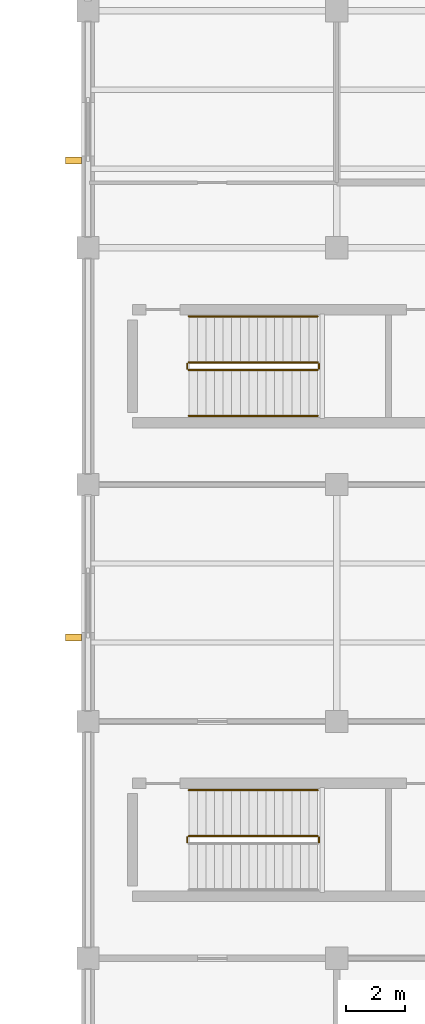
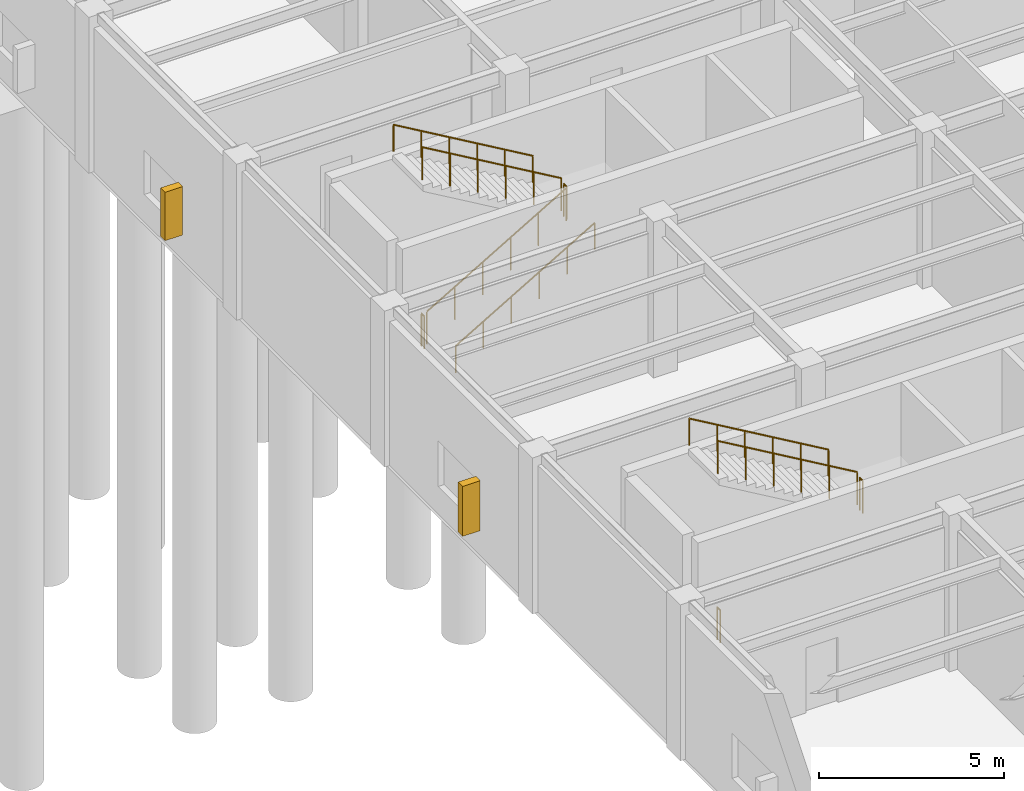
# One storey, part 130 of 138: 10 railings, 2 shading devices.
"""IFC4 building model written with IfcOpenShell, lengths in metres."""

from ifc_helpers import new_model, si_unit, direction, frame, origin, origin_2d, place, context, subcontext, project, spatial, rectangle, circle, extrude, material, type_object, element, save


model = new_model("IFC4")

# Units and contexts
model_context = context("Model", 3, precision=1e-05, world=origin(), true_north=direction((0.0, 1.0)))
body_context = subcontext(model_context, "Body", "Model", "MODEL_VIEW")
ifc_project = project(units=[si_unit("LENGTHUNIT", "METRE"), si_unit("AREAUNIT", "SQUARE_METRE"), si_unit("VOLUMEUNIT", "CUBIC_METRE"), si_unit("PLANEANGLEUNIT", "RADIAN"), si_unit("MASSUNIT", "GRAM", prefix="KILO")], contexts=[model_context])

# Site, building, storey
site_placement = place(None, origin())
site = spatial("IfcSite", under=ifc_project, at=site_placement, CompositionType="ELEMENT")
building_placement = place(site_placement, origin())
building = spatial("IfcBuilding", under=site, at=building_placement, Name="Kranzveld Transit Interchange", CompositionType="ELEMENT")
storey_placement = place(building_placement, origin())
storey = spatial("IfcBuildingStorey", under=building, at=storey_placement, Name="L00", CompositionType="ELEMENT", Elevation=0.0)

# Shading devices
ifc_material_1 = material(Name="Bronze-anodised thermally broken aluminium", Category="aluminium")
shading_device_type = type_object("IfcShadingDeviceType", Name="East-West Deep Clinker Solar Fin", PredefinedType="USERDEFINED", material=ifc_material_1)
shading_device_1_placement = place(storey_placement, frame((-0.4951171875, 74.840087890625, 0.824951171875), z_axis=(0.0, 0.0, 1.0), x_axis=(0.0, 1.0, 0.0)))
element("IfcShadingDevice", 1, at=shading_device_1_placement, inside=storey, type_object=shading_device_type, Name="L00 Vertical Solar Fin 01/K", ObjectType="SOLAR FIN", PredefinedType="USERDEFINED", context=body_context, shape_type="SweptSolid", body=[
    extrude(rectangle(XDim=0.239990234375, YDim=0.550048828125, at=origin_2d()), origin(), (0.0, 0.0, 1.0), 1.64990234375),
])
shading_device_2_placement = place(storey_placement, frame((-0.4951171875, 90.93994140625, 0.824951171875), z_axis=(0.0, 0.0, 1.0), x_axis=(0.0, 1.0, 0.0)))
element("IfcShadingDevice", 2, at=shading_device_2_placement, inside=storey, type_object=shading_device_type, Name="L00 Vertical Solar Fin 01/M", ObjectType="SOLAR FIN", PredefinedType="USERDEFINED", context=body_context, shape_type="SweptSolid", body=[
    extrude(rectangle(XDim=0.239990234375, YDim=0.550048828125, at=origin_2d()), origin(), (0.0, 0.0, 1.0), 1.60009765625),
])

# Railings
ifc_material_2 = material(Name="Steel S355JR", Category="steel")
railing_type_1 = type_object("IfcRailingType", Name="Stair & Ramp Handrail Steel 900", PredefinedType="HANDRAIL", material=ifc_material_2)
railing_1_placement = place(storey_placement, frame((7.75, 69.679931640625, 2.889892578125)))
element("IfcRailing", 3, at=railing_1_placement, inside=storey, type_object=railing_type_1, Name="L00 ST-C1 stair handrail 2", PredefinedType="HANDRAIL", context=body_context, shape_type="SweptSolid", body=[
    extrude(circle(Radius=0.02392578125, at=origin_2d()), frame((0.0, 0.0, 0.8759765625), z_axis=(-0.862698698498, 0.0, 0.505718257145), x_axis=(0.0, -1.0, 0.0)), (0.0, 0.0, 1.0), 5.04248046875),
    extrude(circle(Radius=0.02099609375, at=origin_2d()), origin(), (0.0, 0.0, 1.0), 0.849853515625),
    extrude(circle(Radius=0.02099609375, at=origin_2d()), frame((-0.8701171875, 0.0, 0.510009765625)), (0.0, 0.0, 1.0), 0.849853515625),
    extrude(circle(Radius=0.02099609375, at=origin_2d()), frame((-1.739990234375, 0.0, 1.02001953125)), (0.0, 0.0, 1.0), 0.849853515625),
    extrude(circle(Radius=0.02099609375, at=origin_2d()), frame((-2.610107421875, 0.0, 1.530029296875)), (0.0, 0.0, 1.0), 0.849853515625),
    extrude(circle(Radius=0.02099609375, at=origin_2d()), frame((-3.47998046875, 0.0, 2.0400390625)), (0.0, 0.0, 1.0), 0.849853515625),
    extrude(circle(Radius=0.02099609375, at=origin_2d()), frame((-4.35009765625, 0.0, 2.550048828125)), (0.0, 0.0, 1.0), 0.849853515625),
])
railing_2_placement = place(storey_placement, frame((3.39990234375, 82.320068359375, 0.169921875)))
element("IfcRailing", 4, at=railing_2_placement, inside=storey, type_object=railing_type_1, Name="L00 ST-C2 stair handrail 1", PredefinedType="HANDRAIL", context=body_context, shape_type="SweptSolid", body=[
    extrude(circle(Radius=0.02392578125, at=origin_2d()), frame((0.0, 0.0, 0.8759765625), z_axis=(0.862698698498, 0.0, 0.505718257145), x_axis=(0.0, 1.0, 0.0)), (0.0, 0.0, 1.0), 5.04248046875),
    extrude(circle(Radius=0.02099609375, at=origin_2d()), origin(), (0.0, 0.0, 1.0), 0.849853515625),
    extrude(circle(Radius=0.02099609375, at=origin_2d()), frame((0.8701171875, 0.0, 0.510009765625)), (0.0, 0.0, 1.0), 0.849853515625),
    extrude(circle(Radius=0.02099609375, at=origin_2d()), frame((1.739990234375, 0.0, 1.02001953125)), (0.0, 0.0, 1.0), 0.849853515625),
    extrude(circle(Radius=0.02099609375, at=origin_2d()), frame((2.610107421875, 0.0, 1.530029296875)), (0.0, 0.0, 1.0), 0.849853515625),
    extrude(circle(Radius=0.02099609375, at=origin_2d()), frame((3.47998046875, 0.0, 2.0400390625)), (0.0, 0.0, 1.0), 0.849853515625),
    extrude(circle(Radius=0.02099609375, at=origin_2d()), frame((4.35009765625, 0.0, 2.550048828125)), (0.0, 0.0, 1.0), 0.849853515625),
])
railing_3_placement = place(storey_placement, frame((7.75, 85.679931640625, 2.889892578125)))
element("IfcRailing", 5, at=railing_3_placement, inside=storey, type_object=railing_type_1, Name="L00 ST-C2 stair handrail 2", PredefinedType="HANDRAIL", context=body_context, shape_type="SweptSolid", body=[
    extrude(circle(Radius=0.02392578125, at=origin_2d()), frame((0.0, 0.0, 0.8759765625), z_axis=(-0.862698698498, 0.0, 0.505718257145), x_axis=(0.0, -1.0, 0.0)), (0.0, 0.0, 1.0), 5.04248046875),
    extrude(circle(Radius=0.02099609375, at=origin_2d()), origin(), (0.0, 0.0, 1.0), 0.849853515625),
    extrude(circle(Radius=0.02099609375, at=origin_2d()), frame((-0.8701171875, 0.0, 0.510009765625)), (0.0, 0.0, 1.0), 0.849853515625),
    extrude(circle(Radius=0.02099609375, at=origin_2d()), frame((-1.739990234375, 0.0, 1.02001953125)), (0.0, 0.0, 1.0), 0.849853515625),
    extrude(circle(Radius=0.02099609375, at=origin_2d()), frame((-2.610107421875, 0.0, 1.530029296875)), (0.0, 0.0, 1.0), 0.849853515625),
    extrude(circle(Radius=0.02099609375, at=origin_2d()), frame((-3.47998046875, 0.0, 2.0400390625)), (0.0, 0.0, 1.0), 0.849853515625),
    extrude(circle(Radius=0.02099609375, at=origin_2d()), frame((-4.35009765625, 0.0, 2.550048828125)), (0.0, 0.0, 1.0), 0.849853515625),
])
ifc_material_3 = material(Name="Steel S355JR", Category="steel")
railing_type_2 = type_object("IfcRailingType", Name="Stair Well Guardrail Steel 1100", PredefinedType="GUARDRAIL", material=ifc_material_3)
railing_4_placement = place(storey_placement, frame((7.800048828125, 67.919921875, 2.719970703125)))
element("IfcRailing", 6, at=railing_4_placement, inside=storey, type_object=railing_type_2, Name="L00 ST-C1 stair guard 2", PredefinedType="GUARDRAIL", context=body_context, shape_type="SweptSolid", body=[
    extrude(circle(Radius=0.02392578125, at=origin_2d()), frame((0.0, 0.0, 1.076171875), z_axis=(0.0, 1.0, 0.0), x_axis=(-1.0, 0.0, 0.0)), (0.0, 0.0, 1.0), 0.16015625),
    extrude(circle(Radius=0.02099609375, at=origin_2d()), origin(), (0.0, 0.0, 1.0), 1.050048828125),
    extrude(circle(Radius=0.02099609375, at=origin_2d()), frame((0.0, 0.16015625, 0.0)), (0.0, 0.0, 1.0), 1.050048828125),
])
railing_5_placement = place(storey_placement, frame((7.75, 68.1298828125, 2.889892578125)))
element("IfcRailing", 7, at=railing_5_placement, inside=storey, type_object=railing_type_2, Name="L00 ST-C1 stair guard 3", PredefinedType="GUARDRAIL", context=body_context, shape_type="SweptSolid", body=[
    extrude(circle(Radius=0.02392578125, at=origin_2d()), frame((0.0, 0.0, 1.076171875), z_axis=(-0.862698698498, 0.0, 0.505718257145), x_axis=(0.0, -1.0, 0.0)), (0.0, 0.0, 1.0), 5.04248046875),
    extrude(circle(Radius=0.02099609375, at=origin_2d()), origin(), (0.0, 0.0, 1.0), 1.050048828125),
    extrude(circle(Radius=0.02099609375, at=origin_2d()), frame((-0.8701171875, 0.0, 0.510009765625)), (0.0, 0.0, 1.0), 1.050048828125),
    extrude(circle(Radius=0.02099609375, at=origin_2d()), frame((-1.739990234375, 0.0, 1.02001953125)), (0.0, 0.0, 1.0), 1.050048828125),
    extrude(circle(Radius=0.02099609375, at=origin_2d()), frame((-2.610107421875, 0.0, 1.530029296875)), (0.0, 0.0, 1.0), 1.050048828125),
    extrude(circle(Radius=0.02099609375, at=origin_2d()), frame((-3.47998046875, 0.0, 2.0400390625)), (0.0, 0.0, 1.0), 1.050048828125),
    extrude(circle(Radius=0.02099609375, at=origin_2d()), frame((-4.35009765625, 0.0, 2.550048828125)), (0.0, 0.0, 1.0), 1.050048828125),
])
railing_6_placement = place(storey_placement, frame((3.35009765625, 67.919921875, 0.0)))
element("IfcRailing", 8, at=railing_6_placement, inside=storey, type_object=railing_type_2, Name="L00 ST-C1 stair guard 4", PredefinedType="GUARDRAIL", context=body_context, shape_type="SweptSolid", body=[
    extrude(circle(Radius=0.02392578125, at=origin_2d()), frame((0.0, 0.0, 1.076171875), z_axis=(0.0, 1.0, 0.0), x_axis=(-1.0, 0.0, 0.0)), (0.0, 0.0, 1.0), 0.16015625),
    extrude(circle(Radius=0.02099609375, at=origin_2d()), origin(), (0.0, 0.0, 1.0), 1.050048828125),
    extrude(circle(Radius=0.02099609375, at=origin_2d()), frame((0.0, 0.16015625, 0.0)), (0.0, 0.0, 1.0), 1.050048828125),
])
railing_7_placement = place(storey_placement, frame((3.39990234375, 83.8701171875, 0.169921875)))
element("IfcRailing", 9, at=railing_7_placement, inside=storey, type_object=railing_type_2, Name="L00 ST-C2 stair guard 1", PredefinedType="GUARDRAIL", context=body_context, shape_type="SweptSolid", body=[
    extrude(circle(Radius=0.02392578125, at=origin_2d()), frame((0.0, 0.0, 1.076171875), z_axis=(0.862698698498, 0.0, 0.505718257145), x_axis=(0.0, 1.0, 0.0)), (0.0, 0.0, 1.0), 5.04248046875),
    extrude(circle(Radius=0.02099609375, at=origin_2d()), origin(), (0.0, 0.0, 1.0), 1.050048828125),
    extrude(circle(Radius=0.02099609375, at=origin_2d()), frame((0.8701171875, 0.0, 0.510009765625)), (0.0, 0.0, 1.0), 1.050048828125),
    extrude(circle(Radius=0.02099609375, at=origin_2d()), frame((1.739990234375, 0.0, 1.02001953125)), (0.0, 0.0, 1.0), 1.050048828125),
    extrude(circle(Radius=0.02099609375, at=origin_2d()), frame((2.610107421875, 0.0, 1.530029296875)), (0.0, 0.0, 1.0), 1.050048828125),
    extrude(circle(Radius=0.02099609375, at=origin_2d()), frame((3.47998046875, 0.0, 2.0400390625)), (0.0, 0.0, 1.0), 1.050048828125),
    extrude(circle(Radius=0.02099609375, at=origin_2d()), frame((4.35009765625, 0.0, 2.550048828125)), (0.0, 0.0, 1.0), 1.050048828125),
])
railing_8_placement = place(storey_placement, frame((7.800048828125, 83.919921875, 2.719970703125)))
element("IfcRailing", 10, at=railing_8_placement, inside=storey, type_object=railing_type_2, Name="L00 ST-C2 stair guard 2", PredefinedType="GUARDRAIL", context=body_context, shape_type="SweptSolid", body=[
    extrude(circle(Radius=0.02392578125, at=origin_2d()), frame((0.0, 0.0, 1.076171875), z_axis=(0.0, 1.0, 0.0), x_axis=(-1.0, 0.0, 0.0)), (0.0, 0.0, 1.0), 0.16015625),
    extrude(circle(Radius=0.02099609375, at=origin_2d()), origin(), (0.0, 0.0, 1.0), 1.050048828125),
    extrude(circle(Radius=0.02099609375, at=origin_2d()), frame((0.0, 0.16015625, 0.0)), (0.0, 0.0, 1.0), 1.050048828125),
])
railing_9_placement = place(storey_placement, frame((7.75, 84.1298828125, 2.889892578125)))
element("IfcRailing", 11, at=railing_9_placement, inside=storey, type_object=railing_type_2, Name="L00 ST-C2 stair guard 3", PredefinedType="GUARDRAIL", context=body_context, shape_type="SweptSolid", body=[
    extrude(circle(Radius=0.02392578125, at=origin_2d()), frame((0.0, 0.0, 1.076171875), z_axis=(-0.862698698498, 0.0, 0.505718257145), x_axis=(0.0, -1.0, 0.0)), (0.0, 0.0, 1.0), 5.04248046875),
    extrude(circle(Radius=0.02099609375, at=origin_2d()), origin(), (0.0, 0.0, 1.0), 1.050048828125),
    extrude(circle(Radius=0.02099609375, at=origin_2d()), frame((-0.8701171875, 0.0, 0.510009765625)), (0.0, 0.0, 1.0), 1.050048828125),
    extrude(circle(Radius=0.02099609375, at=origin_2d()), frame((-1.739990234375, 0.0, 1.02001953125)), (0.0, 0.0, 1.0), 1.050048828125),
    extrude(circle(Radius=0.02099609375, at=origin_2d()), frame((-2.610107421875, 0.0, 1.530029296875)), (0.0, 0.0, 1.0), 1.050048828125),
    extrude(circle(Radius=0.02099609375, at=origin_2d()), frame((-3.47998046875, 0.0, 2.0400390625)), (0.0, 0.0, 1.0), 1.050048828125),
    extrude(circle(Radius=0.02099609375, at=origin_2d()), frame((-4.35009765625, 0.0, 2.550048828125)), (0.0, 0.0, 1.0), 1.050048828125),
])
railing_10_placement = place(storey_placement, frame((3.35009765625, 83.919921875, 0.0)))
element("IfcRailing", 12, at=railing_10_placement, inside=storey, type_object=railing_type_2, Name="L00 ST-C2 stair guard 4", PredefinedType="GUARDRAIL", context=body_context, shape_type="SweptSolid", body=[
    extrude(circle(Radius=0.02392578125, at=origin_2d()), frame((0.0, 0.0, 1.076171875), z_axis=(0.0, 1.0, 0.0), x_axis=(-1.0, 0.0, 0.0)), (0.0, 0.0, 1.0), 0.16015625),
    extrude(circle(Radius=0.02099609375, at=origin_2d()), origin(), (0.0, 0.0, 1.0), 1.050048828125),
    extrude(circle(Radius=0.02099609375, at=origin_2d()), frame((0.0, 0.16015625, 0.0)), (0.0, 0.0, 1.0), 1.050048828125),
])

save(model, "model.ifc")
